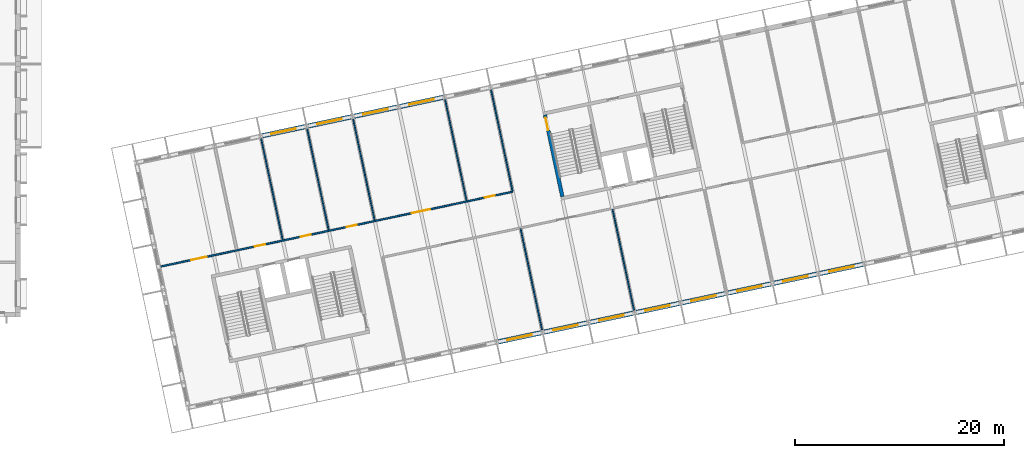
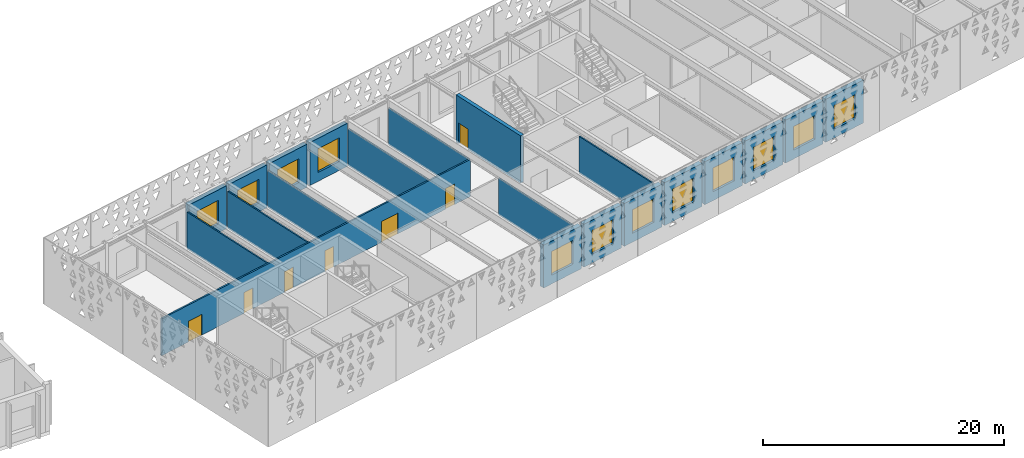
# One storey, part 123 of 182: 21 walls, 12 windows, 7 doors, 19 openings.
"""IFC4 building model written with IfcOpenShell, lengths in metres."""

from ifc_helpers import new_model, si_unit, direction, frame, frame_2d, origin, place, context, subcontext, project, spatial, rectangle, extrude, material, layer, layer_set, type_object, element, fill, save


model = new_model("IFC4")

# Units and contexts
model_context = context("Model", 3, precision=1e-05, world=origin(), true_north=direction((0.0, 1.0)))
body_context = subcontext(model_context, "Body", "Model", "MODEL_VIEW")
ifc_project = project(units=[si_unit("LENGTHUNIT", "METRE"), si_unit("AREAUNIT", "SQUARE_METRE"), si_unit("VOLUMEUNIT", "CUBIC_METRE"), si_unit("PLANEANGLEUNIT", "RADIAN"), si_unit("MASSUNIT", "GRAM", prefix="KILO")], contexts=[model_context])

# Site, building, storey
site_placement = place(None, origin())
site = spatial("IfcSite", under=ifc_project, at=site_placement, CompositionType="ELEMENT")
building_placement = place(site_placement, origin())
building = spatial("IfcBuilding", under=site, at=building_placement, Name="Okhra Congress Centre", CompositionType="ELEMENT")
storey_placement = place(building_placement, frame((0.0, 0.0, 7.199951171875)))
storey = spatial("IfcBuildingStorey", under=building, at=storey_placement, Name="L01", CompositionType="ELEMENT", Elevation=7.199951171875)

# Wall, opening, window
ifc_material_1 = material(Name="Insulated metal panel on steel stud (mineral wool, vapour barrier)", Category="steel")
ifc_layer_1 = layer(ifc_material_1, 0.449951171875)
ifc_layer_set_1 = layer_set([ifc_layer_1], Name="Insulated wall 450")
wall_type_1 = type_object("IfcWallType", Name="Insulated wall 450", PredefinedType="SOLIDWALL", material=ifc_layer_set_1)
wall_1_placement = place(storey_placement, frame((91.969482421875, 33.3896484375, 0.0), z_axis=(0.0, 0.0, 1.0), x_axis=(0.978143927149, 0.207928972925, 0.0)))
wall_1 = element("IfcWall", 1, at=wall_1_placement, inside=storey, type_object=wall_type_1, Name="External wall S8 L01", PredefinedType="SOLIDWALL", context=body_context, shape_type="SweptSolid", body=[
    extrude(rectangle(XDim=4.199951171875, YDim=0.449951171875, at=frame_2d((2.10009765625, 0.0))), origin(), (0.0, 0.0, 1.0), 4.35009765625),
])
opening_1_placement = place(wall_1_placement, frame((0.89990234375, 0.0, 0.89990234375)))
opening_1 = element("IfcOpeningElement", 2, at=opening_1_placement, cuts=wall_1, Name="Opening WN22", PredefinedType="OPENING", context=body_context, shape_type="SweptSolid", body=[
    extrude(rectangle(XDim=2.39990234375, YDim=2.39990234375, at=frame_2d((1.199951171875, 1.199951171875))), frame((0.0, 0.23486328125, 0.0), z_axis=(0.0, -1.0, 0.0), x_axis=(1.0, 0.0, 0.0)), (0.0, 0.0, 1.0), 0.469970703125),
])
ifc_material_2 = material(Name="Thermally broken aluminium frame, triple glazing", Category="aluminium")
window_type = type_object("IfcWindowType", Name="Fixed window 2400x2400", PartitioningType="SINGLE_PANEL", PredefinedType="WINDOW", material=ifc_material_2)
window_1_placement = place(opening_1_placement, origin())
window_1 = element("IfcWindow", 3, at=window_1_placement, inside=storey, type_object=window_type, Name="BX.WIN.L01.8", OverallHeight=2.39990234375, OverallWidth=2.39990234375, PartitioningType="SINGLE_PANEL", PredefinedType="WINDOW", context=body_context, shape_type="SweptSolid", body=[
    extrude(rectangle(XDim=2.39990234375, YDim=2.39990234375, at=frame_2d((1.199951171875, 1.199951171875))), frame((0.0, 0.030029296875, 0.0), z_axis=(0.0, -1.0, 0.0), x_axis=(1.0, 0.0, 0.0)), (0.0, 0.0, 1.0), 0.06005859375),
])
fill(opening_1, window_1)

wall_2_placement = place(storey_placement, frame((96.37109375, 34.3251953125, 0.0), z_axis=(0.0, 0.0, 1.0), x_axis=(0.978143927149, 0.207928972925, 0.0)))
wall_2 = element("IfcWall", 4, at=wall_2_placement, inside=storey, type_object=wall_type_1, Name="External wall S9 L01", PredefinedType="SOLIDWALL", context=body_context, shape_type="SweptSolid", body=[
    extrude(rectangle(XDim=4.199951171875, YDim=0.449951171875, at=frame_2d((2.10009765625, 0.0))), origin(), (0.0, 0.0, 1.0), 4.35009765625),
])
opening_2_placement = place(wall_2_placement, frame((0.89990234375, 0.0, 0.89990234375)))
opening_2 = element("IfcOpeningElement", 5, at=opening_2_placement, cuts=wall_2, Name="Opening WN22", PredefinedType="OPENING", context=body_context, shape_type="SweptSolid", body=[
    extrude(rectangle(XDim=2.39990234375, YDim=2.39990234375, at=frame_2d((1.199951171875, 1.199951171875))), frame((0.0, 0.23486328125, 0.0), z_axis=(0.0, -1.0, 0.0), x_axis=(1.0, 0.0, 0.0)), (0.0, 0.0, 1.0), 0.469970703125),
])
window_2_placement = place(opening_2_placement, origin())
window_2 = element("IfcWindow", 6, at=window_2_placement, inside=storey, type_object=window_type, Name="BX.WIN.L01.9", OverallHeight=2.39990234375, OverallWidth=2.39990234375, PartitioningType="SINGLE_PANEL", PredefinedType="WINDOW", context=body_context, shape_type="SweptSolid", body=[
    extrude(rectangle(XDim=2.39990234375, YDim=2.39990234375, at=frame_2d((1.199951171875, 1.199951171875))), frame((0.0, 0.030029296875, 0.0), z_axis=(0.0, -1.0, 0.0), x_axis=(1.0, 0.0, 0.0)), (0.0, 0.0, 1.0), 0.06005859375),
])
fill(opening_2, window_2)

wall_3_placement = place(storey_placement, frame((100.772705078125, 35.2607421875, 0.0), z_axis=(0.0, 0.0, 1.0), x_axis=(0.978143927149, 0.207928972925, 0.0)))
wall_3 = element("IfcWall", 7, at=wall_3_placement, inside=storey, type_object=wall_type_1, Name="External wall S10 L01", PredefinedType="SOLIDWALL", context=body_context, shape_type="SweptSolid", body=[
    extrude(rectangle(XDim=4.199951171875, YDim=0.449951171875, at=frame_2d((2.10009765625, 0.0))), origin(), (0.0, 0.0, 1.0), 4.35009765625),
])
opening_3_placement = place(wall_3_placement, frame((0.89990234375, 0.0, 0.89990234375)))
opening_3 = element("IfcOpeningElement", 8, at=opening_3_placement, cuts=wall_3, Name="Opening WN22", PredefinedType="OPENING", context=body_context, shape_type="SweptSolid", body=[
    extrude(rectangle(XDim=2.39990234375, YDim=2.39990234375, at=frame_2d((1.199951171875, 1.199951171875))), frame((0.0, 0.23486328125, 0.0), z_axis=(0.0, -1.0, 0.0), x_axis=(1.0, 0.0, 0.0)), (0.0, 0.0, 1.0), 0.469970703125),
])
window_3_placement = place(opening_3_placement, origin())
window_3 = element("IfcWindow", 9, at=window_3_placement, inside=storey, type_object=window_type, Name="BX.WIN.L01.10", OverallHeight=2.39990234375, OverallWidth=2.39990234375, PartitioningType="SINGLE_PANEL", PredefinedType="WINDOW", context=body_context, shape_type="SweptSolid", body=[
    extrude(rectangle(XDim=2.39990234375, YDim=2.39990234375, at=frame_2d((1.199951171875, 1.199951171875))), frame((0.0, 0.030029296875, 0.0), z_axis=(0.0, -1.0, 0.0), x_axis=(1.0, 0.0, 0.0)), (0.0, 0.0, 1.0), 0.06005859375),
])
fill(opening_3, window_3)

wall_4_placement = place(storey_placement, frame((105.17431640625, 36.196533203125, 0.0), z_axis=(0.0, 0.0, 1.0), x_axis=(0.978155748334, 0.207873355681, 0.0)))
wall_4 = element("IfcWall", 10, at=wall_4_placement, inside=storey, type_object=wall_type_1, Name="External wall S11 L01", PredefinedType="SOLIDWALL", context=body_context, shape_type="SweptSolid", body=[
    extrude(rectangle(XDim=4.199951171875, YDim=0.449951171875, at=frame_2d((2.10009765625, 0.0))), origin(), (0.0, 0.0, 1.0), 4.35009765625),
])
opening_4_placement = place(wall_4_placement, frame((0.89990234375, 0.0, 0.89990234375)))
opening_4 = element("IfcOpeningElement", 11, at=opening_4_placement, cuts=wall_4, Name="Opening WN22", PredefinedType="OPENING", context=body_context, shape_type="SweptSolid", body=[
    extrude(rectangle(XDim=2.39990234375, YDim=2.39990234375, at=frame_2d((1.199951171875, 1.199951171875))), frame((0.0, 0.23486328125, 0.0), z_axis=(0.0, -1.0, 0.0), x_axis=(1.0, 0.0, 0.0)), (0.0, 0.0, 1.0), 0.469970703125),
])
window_4_placement = place(opening_4_placement, origin())
window_4 = element("IfcWindow", 12, at=window_4_placement, inside=storey, type_object=window_type, Name="BX.WIN.L01.11", OverallHeight=2.39990234375, OverallWidth=2.39990234375, PartitioningType="SINGLE_PANEL", PredefinedType="WINDOW", context=body_context, shape_type="SweptSolid", body=[
    extrude(rectangle(XDim=2.39990234375, YDim=2.39990234375, at=frame_2d((1.199951171875, 1.199951171875))), frame((0.0, 0.030029296875, 0.0), z_axis=(0.0, -1.0, 0.0), x_axis=(1.0, 0.0, 0.0)), (0.0, 0.0, 1.0), 0.06005859375),
])
fill(opening_4, window_4)

wall_5_placement = place(storey_placement, frame((109.575927734375, 37.132080078125, 0.0), z_axis=(0.0, 0.0, 1.0), x_axis=(0.978146440129, 0.207917150959, 0.0)))
wall_5 = element("IfcWall", 13, at=wall_5_placement, inside=storey, type_object=wall_type_1, Name="External wall S12 L01", PredefinedType="SOLIDWALL", context=body_context, shape_type="SweptSolid", body=[
    extrude(rectangle(XDim=4.2001953125, YDim=0.449951171875, at=frame_2d((2.10009765625, 0.0))), origin(), (0.0, 0.0, 1.0), 4.35009765625),
])
opening_5_placement = place(wall_5_placement, frame((0.89990234375, 0.0, 0.89990234375)))
opening_5 = element("IfcOpeningElement", 14, at=opening_5_placement, cuts=wall_5, Name="Opening WN22", PredefinedType="OPENING", context=body_context, shape_type="SweptSolid", body=[
    extrude(rectangle(XDim=2.39990234375, YDim=2.39990234375, at=frame_2d((1.199951171875, 1.199951171875))), frame((0.0, 0.23486328125, 0.0), z_axis=(0.0, -1.0, 0.0), x_axis=(1.0, 0.0, 0.0)), (0.0, 0.0, 1.0), 0.469970703125),
])
window_5_placement = place(opening_5_placement, origin())
window_5 = element("IfcWindow", 15, at=window_5_placement, inside=storey, type_object=window_type, Name="BX.WIN.L01.12", OverallHeight=2.39990234375, OverallWidth=2.39990234375, PartitioningType="SINGLE_PANEL", PredefinedType="WINDOW", context=body_context, shape_type="SweptSolid", body=[
    extrude(rectangle(XDim=2.39990234375, YDim=2.39990234375, at=frame_2d((1.199951171875, 1.199951171875))), frame((0.0, 0.030029296875, 0.0), z_axis=(0.0, -1.0, 0.0), x_axis=(1.0, 0.0, 0.0)), (0.0, 0.0, 1.0), 0.06005859375),
])
fill(opening_5, window_5)

wall_6_placement = place(storey_placement, frame((113.977783203125, 38.067626953125, 0.0), z_axis=(0.0, 0.0, 1.0), x_axis=(0.978143927149, 0.207928972925, 0.0)))
wall_6 = element("IfcWall", 16, at=wall_6_placement, inside=storey, type_object=wall_type_1, Name="External wall S13 L01", PredefinedType="SOLIDWALL", context=body_context, shape_type="SweptSolid", body=[
    extrude(rectangle(XDim=4.199951171875, YDim=0.449951171875, at=frame_2d((2.10009765625, 0.0))), origin(), (0.0, 0.0, 1.0), 4.35009765625),
])
opening_6_placement = place(wall_6_placement, frame((0.89990234375, 0.0, 0.89990234375)))
opening_6 = element("IfcOpeningElement", 17, at=opening_6_placement, cuts=wall_6, Name="Opening WN22", PredefinedType="OPENING", context=body_context, shape_type="SweptSolid", body=[
    extrude(rectangle(XDim=2.39990234375, YDim=2.39990234375, at=frame_2d((1.199951171875, 1.199951171875))), frame((0.0, 0.23486328125, 0.0), z_axis=(0.0, -1.0, 0.0), x_axis=(1.0, 0.0, 0.0)), (0.0, 0.0, 1.0), 0.469970703125),
])
window_6_placement = place(opening_6_placement, origin())
window_6 = element("IfcWindow", 18, at=window_6_placement, inside=storey, type_object=window_type, Name="BX.WIN.L01.13", OverallHeight=2.39990234375, OverallWidth=2.39990234375, PartitioningType="SINGLE_PANEL", PredefinedType="WINDOW", context=body_context, shape_type="SweptSolid", body=[
    extrude(rectangle(XDim=2.39990234375, YDim=2.39990234375, at=frame_2d((1.199951171875, 1.199951171875))), frame((0.0, 0.030029296875, 0.0), z_axis=(0.0, -1.0, 0.0), x_axis=(1.0, 0.0, 0.0)), (0.0, 0.0, 1.0), 0.06005859375),
])
fill(opening_6, window_6)

wall_7_placement = place(storey_placement, frame((118.37939453125, 39.003173828125, 0.0), z_axis=(0.0, 0.0, 1.0), x_axis=(0.978143927149, 0.207928972925, 0.0)))
wall_7 = element("IfcWall", 19, at=wall_7_placement, inside=storey, type_object=wall_type_1, Name="External wall S14 L01", PredefinedType="SOLIDWALL", context=body_context, shape_type="SweptSolid", body=[
    extrude(rectangle(XDim=4.199951171875, YDim=0.449951171875, at=frame_2d((2.10009765625, 0.0))), origin(), (0.0, 0.0, 1.0), 4.35009765625),
])
opening_7_placement = place(wall_7_placement, frame((0.89990234375, 0.0, 0.89990234375)))
opening_7 = element("IfcOpeningElement", 20, at=opening_7_placement, cuts=wall_7, Name="Opening WN22", PredefinedType="OPENING", context=body_context, shape_type="SweptSolid", body=[
    extrude(rectangle(XDim=2.39990234375, YDim=2.39990234375, at=frame_2d((1.199951171875, 1.199951171875))), frame((0.0, 0.23486328125, 0.0), z_axis=(0.0, -1.0, 0.0), x_axis=(1.0, 0.0, 0.0)), (0.0, 0.0, 1.0), 0.469970703125),
])
window_7_placement = place(opening_7_placement, origin())
window_7 = element("IfcWindow", 21, at=window_7_placement, inside=storey, type_object=window_type, Name="BX.WIN.L01.14", OverallHeight=2.39990234375, OverallWidth=2.39990234375, PartitioningType="SINGLE_PANEL", PredefinedType="WINDOW", context=body_context, shape_type="SweptSolid", body=[
    extrude(rectangle(XDim=2.39990234375, YDim=2.39990234375, at=frame_2d((1.199951171875, 1.199951171875))), frame((0.0, 0.030029296875, 0.0), z_axis=(0.0, -1.0, 0.0), x_axis=(1.0, 0.0, 0.0)), (0.0, 0.0, 1.0), 0.06005859375),
])
fill(opening_7, window_7)

wall_8_placement = place(storey_placement, frame((122.781005859375, 39.93896484375, 0.0), z_axis=(0.0, 0.0, 1.0), x_axis=(0.978155748334, 0.207873355681, 0.0)))
wall_8 = element("IfcWall", 22, at=wall_8_placement, inside=storey, type_object=wall_type_1, Name="External wall S15 L01", PredefinedType="SOLIDWALL", context=body_context, shape_type="SweptSolid", body=[
    extrude(rectangle(XDim=4.199951171875, YDim=0.449951171875, at=frame_2d((2.10009765625, 0.0))), origin(), (0.0, 0.0, 1.0), 4.35009765625),
])
opening_8_placement = place(wall_8_placement, frame((0.89990234375, 0.0, 0.89990234375)))
opening_8 = element("IfcOpeningElement", 23, at=opening_8_placement, cuts=wall_8, Name="Opening WN22", PredefinedType="OPENING", context=body_context, shape_type="SweptSolid", body=[
    extrude(rectangle(XDim=2.39990234375, YDim=2.39990234375, at=frame_2d((1.199951171875, 1.199951171875))), frame((0.0, 0.23486328125, 0.0), z_axis=(0.0, -1.0, 0.0), x_axis=(1.0, 0.0, 0.0)), (0.0, 0.0, 1.0), 0.469970703125),
])
window_8_placement = place(opening_8_placement, origin())
window_8 = element("IfcWindow", 24, at=window_8_placement, inside=storey, type_object=window_type, Name="BX.WIN.L01.15", OverallHeight=2.39990234375, OverallWidth=2.39990234375, PartitioningType="SINGLE_PANEL", PredefinedType="WINDOW", context=body_context, shape_type="SweptSolid", body=[
    extrude(rectangle(XDim=2.39990234375, YDim=2.39990234375, at=frame_2d((1.199951171875, 1.199951171875))), frame((0.0, 0.030029296875, 0.0), z_axis=(0.0, -1.0, 0.0), x_axis=(1.0, 0.0, 0.0)), (0.0, 0.0, 1.0), 0.06005859375),
])
fill(opening_8, window_8)

wall_9_placement = place(storey_placement, frame((69.372802734375, 53.122802734375, 0.0), z_axis=(0.0, 0.0, 1.0), x_axis=(0.978143927149, 0.207928972925, 0.0)))
wall_9 = element("IfcWall", 25, at=wall_9_placement, inside=storey, type_object=wall_type_1, Name="External wall N4 L01", PredefinedType="SOLIDWALL", context=body_context, shape_type="SweptSolid", body=[
    extrude(rectangle(XDim=4.199951171875, YDim=0.449951171875, at=frame_2d((2.10009765625, 0.0))), origin(), (0.0, 0.0, 1.0), 4.35009765625),
])
opening_9_placement = place(wall_9_placement, frame((0.89990234375, 0.0, 0.89990234375)))
opening_9 = element("IfcOpeningElement", 26, at=opening_9_placement, cuts=wall_9, Name="Opening WN22", PredefinedType="OPENING", context=body_context, shape_type="SweptSolid", body=[
    extrude(rectangle(XDim=2.39990234375, YDim=2.39990234375, at=frame_2d((1.199951171875, 1.199951171875))), frame((0.0, 0.23486328125, 0.0), z_axis=(0.0, -1.0, 0.0), x_axis=(1.0, 0.0, 0.0)), (0.0, 0.0, 1.0), 0.469970703125),
])
window_9_placement = place(opening_9_placement, origin())
window_9 = element("IfcWindow", 27, at=window_9_placement, inside=storey, type_object=window_type, Name="BX.WIN.L01.40", OverallHeight=2.39990234375, OverallWidth=2.39990234375, PartitioningType="SINGLE_PANEL", PredefinedType="WINDOW", context=body_context, shape_type="SweptSolid", body=[
    extrude(rectangle(XDim=2.39990234375, YDim=2.39990234375, at=frame_2d((1.199951171875, 1.199951171875))), frame((0.0, 0.030029296875, 0.0), z_axis=(0.0, -1.0, 0.0), x_axis=(1.0, 0.0, 0.0)), (0.0, 0.0, 1.0), 0.06005859375),
])
fill(opening_9, window_9)

wall_10_placement = place(storey_placement, frame((73.7744140625, 54.058349609375, 0.0), z_axis=(0.0, 0.0, 1.0), x_axis=(0.978146440129, 0.207917150959, 0.0)))
wall_10 = element("IfcWall", 28, at=wall_10_placement, inside=storey, type_object=wall_type_1, Name="External wall N5 L01", PredefinedType="SOLIDWALL", context=body_context, shape_type="SweptSolid", body=[
    extrude(rectangle(XDim=4.2001953125, YDim=0.449951171875, at=frame_2d((2.10009765625, 0.0))), origin(), (0.0, 0.0, 1.0), 4.35009765625),
])
opening_10_placement = place(wall_10_placement, frame((0.89990234375, 0.0, 0.89990234375)))
opening_10 = element("IfcOpeningElement", 29, at=opening_10_placement, cuts=wall_10, Name="Opening WN22", PredefinedType="OPENING", context=body_context, shape_type="SweptSolid", body=[
    extrude(rectangle(XDim=2.39990234375, YDim=2.39990234375, at=frame_2d((1.199951171875, 1.199951171875))), frame((0.0, 0.23486328125, 0.0), z_axis=(0.0, -1.0, 0.0), x_axis=(1.0, 0.0, 0.0)), (0.0, 0.0, 1.0), 0.469970703125),
])
window_10_placement = place(opening_10_placement, origin())
window_10 = element("IfcWindow", 30, at=window_10_placement, inside=storey, type_object=window_type, Name="BX.WIN.L01.41", OverallHeight=2.39990234375, OverallWidth=2.39990234375, PartitioningType="SINGLE_PANEL", PredefinedType="WINDOW", context=body_context, shape_type="SweptSolid", body=[
    extrude(rectangle(XDim=2.39990234375, YDim=2.39990234375, at=frame_2d((1.199951171875, 1.199951171875))), frame((0.0, 0.030029296875, 0.0), z_axis=(0.0, -1.0, 0.0), x_axis=(1.0, 0.0, 0.0)), (0.0, 0.0, 1.0), 0.06005859375),
])
fill(opening_10, window_10)

wall_11_placement = place(storey_placement, frame((78.17626953125, 54.993896484375, 0.0), z_axis=(0.0, 0.0, 1.0), x_axis=(0.978143927149, 0.207928972925, 0.0)))
wall_11 = element("IfcWall", 31, at=wall_11_placement, inside=storey, type_object=wall_type_1, Name="External wall N6 L01", PredefinedType="SOLIDWALL", context=body_context, shape_type="SweptSolid", body=[
    extrude(rectangle(XDim=4.199951171875, YDim=0.449951171875, at=frame_2d((2.10009765625, 0.0))), origin(), (0.0, 0.0, 1.0), 4.35009765625),
])
opening_11_placement = place(wall_11_placement, frame((0.89990234375, 0.0, 0.89990234375)))
opening_11 = element("IfcOpeningElement", 32, at=opening_11_placement, cuts=wall_11, Name="Opening WN22", PredefinedType="OPENING", context=body_context, shape_type="SweptSolid", body=[
    extrude(rectangle(XDim=2.39990234375, YDim=2.39990234375, at=frame_2d((1.199951171875, 1.199951171875))), frame((0.0, 0.23486328125, 0.0), z_axis=(0.0, -1.0, 0.0), x_axis=(1.0, 0.0, 0.0)), (0.0, 0.0, 1.0), 0.469970703125),
])
window_11_placement = place(opening_11_placement, origin())
window_11 = element("IfcWindow", 33, at=window_11_placement, inside=storey, type_object=window_type, Name="BX.WIN.L01.42", OverallHeight=2.39990234375, OverallWidth=2.39990234375, PartitioningType="SINGLE_PANEL", PredefinedType="WINDOW", context=body_context, shape_type="SweptSolid", body=[
    extrude(rectangle(XDim=2.39990234375, YDim=2.39990234375, at=frame_2d((1.199951171875, 1.199951171875))), frame((0.0, 0.030029296875, 0.0), z_axis=(0.0, -1.0, 0.0), x_axis=(1.0, 0.0, 0.0)), (0.0, 0.0, 1.0), 0.06005859375),
])
fill(opening_11, window_11)

wall_12_placement = place(storey_placement, frame((82.577880859375, 55.9296875, 0.0), z_axis=(0.0, 0.0, 1.0), x_axis=(0.978155748334, 0.207873355681, 0.0)))
wall_12 = element("IfcWall", 34, at=wall_12_placement, inside=storey, type_object=wall_type_1, Name="External wall N7 L01", PredefinedType="SOLIDWALL", context=body_context, shape_type="SweptSolid", body=[
    extrude(rectangle(XDim=4.199951171875, YDim=0.449951171875, at=frame_2d((2.10009765625, 0.0))), origin(), (0.0, 0.0, 1.0), 4.35009765625),
])
opening_12_placement = place(wall_12_placement, frame((0.89990234375, 0.0, 0.89990234375)))
opening_12 = element("IfcOpeningElement", 35, at=opening_12_placement, cuts=wall_12, Name="Opening WN22", PredefinedType="OPENING", context=body_context, shape_type="SweptSolid", body=[
    extrude(rectangle(XDim=2.39990234375, YDim=2.39990234375, at=frame_2d((1.199951171875, 1.199951171875))), frame((0.0, 0.23486328125, 0.0), z_axis=(0.0, -1.0, 0.0), x_axis=(1.0, 0.0, 0.0)), (0.0, 0.0, 1.0), 0.469970703125),
])
window_12_placement = place(opening_12_placement, origin())
window_12 = element("IfcWindow", 36, at=window_12_placement, inside=storey, type_object=window_type, Name="BX.WIN.L01.43", OverallHeight=2.39990234375, OverallWidth=2.39990234375, PartitioningType="SINGLE_PANEL", PredefinedType="WINDOW", context=body_context, shape_type="SweptSolid", body=[
    extrude(rectangle(XDim=2.39990234375, YDim=2.39990234375, at=frame_2d((1.199951171875, 1.199951171875))), frame((0.0, 0.030029296875, 0.0), z_axis=(0.0, -1.0, 0.0), x_axis=(1.0, 0.0, 0.0)), (0.0, 0.0, 1.0), 0.06005859375),
])
fill(opening_12, window_12)

# Walls
ifc_material_3 = material(Name="Gypsum board on steel studs", Category="steel")
ifc_layer_2 = layer(ifc_material_3, 0.125)
ifc_layer_set_2 = layer_set([ifc_layer_2], Name="Partition 125")
wall_type_2 = type_object("IfcWallType", Name="Partition 125", PredefinedType="PARTITIONING", material=ifc_layer_set_2)
wall_13_placement = place(storey_placement, frame((96.177490234375, 34.51416015625, 0.0), z_axis=(0.0, 0.0, 1.0), x_axis=(-0.20790935802, 0.978148096582, 0.0)))
element("IfcWall", 37, at=wall_13_placement, inside=storey, type_object=wall_type_2, Name="Partition S L01", PredefinedType="PARTITIONING", context=body_context, shape_type="SweptSolid", body=[
    extrude(rectangle(XDim=9.9248046875, YDim=0.125, at=frame_2d((4.96240234375, 0.0))), origin(), (0.0, 0.0, 1.0), 3.75),
])
wall_14_placement = place(storey_placement, frame((104.98095703125, 36.38525390625, 0.0), z_axis=(0.0, 0.0, 1.0), x_axis=(-0.207927890391, 0.978144157268, 0.0)))
element("IfcWall", 38, at=wall_14_placement, inside=storey, type_object=wall_type_2, Name="Partition S L01", PredefinedType="PARTITIONING", context=body_context, shape_type="SweptSolid", body=[
    extrude(rectangle(XDim=9.92529296875, YDim=0.125, at=frame_2d((4.962646484375, 0.0))), origin(), (0.0, 0.0, 1.0), 3.75),
])
for number, where, z_axis, x_axis, name in (
    (39, (69.27294921875, 52.87158203125, 0.0), (0.0, 0.0, 1.0), (0.207904355568, -0.978149159861, 0.0), "Partition N L01"),
    (40, (73.674560546875, 53.80712890625, 0.0), (0.0, 0.0, 1.0), (0.207904355568, -0.978149159861, 0.0), "Partition N L01"),
):
    element("IfcWall", number, at=place(storey_placement, frame(where, z_axis=z_axis, x_axis=x_axis)), inside=storey, type_object=wall_type_2, Name=name, PredefinedType="PARTITIONING", context=body_context, shape_type="SweptSolid", body=[
        extrude(rectangle(XDim=9.925048828125, YDim=0.125, at=frame_2d((4.96240234375, 0.0))), origin(), (0.0, 0.0, 1.0), 3.75),
    ])
wall_15_placement = place(storey_placement, frame((78.076171875, 54.74267578125, 0.0), z_axis=(0.0, 0.0, 1.0), x_axis=(0.20790935802, -0.978148096582, 0.0)))
element("IfcWall", 41, at=wall_15_placement, inside=storey, type_object=wall_type_2, Name="Partition N L01", PredefinedType="PARTITIONING", context=body_context, shape_type="SweptSolid", body=[
    extrude(rectangle(XDim=9.9248046875, YDim=0.125, at=frame_2d((4.96240234375, 0.0))), origin(), (0.0, 0.0, 1.0), 3.75),
])
for number, where, z_axis, x_axis, name in (
    (42, (86.879638671875, 56.614013671875, 0.0), (0.0, 0.0, 1.0), (0.207904355568, -0.978149159861, 0.0), "Partition N L01"),
    (43, (91.28125, 57.549560546875, 0.0), (0.0, 0.0, 1.0), (0.207904355568, -0.978149159861, 0.0), "Partition N L01"),
):
    element("IfcWall", number, at=place(storey_placement, frame(where, z_axis=z_axis, x_axis=x_axis)), inside=storey, type_object=wall_type_2, Name=name, PredefinedType="PARTITIONING", context=body_context, shape_type="SweptSolid", body=[
        extrude(rectangle(XDim=9.925048828125, YDim=0.125, at=frame_2d((4.96240234375, 0.0))), origin(), (0.0, 0.0, 1.0), 3.75),
    ])

# Wall, openings, doors
ifc_layer_3 = layer(ifc_material_3, 0.14990234375)
ifc_layer_set_3 = layer_set([ifc_layer_3], Name="Partition 150 EI 15")
wall_type_3 = type_object("IfcWallType", Name="Partition 150 EI 15", PredefinedType="PARTITIONING", material=ifc_layer_set_3)
wall_16_placement = place(storey_placement, frame((59.6630859375, 40.60546875, 0.0), z_axis=(0.0, 0.0, 1.0), x_axis=(0.978147466509, 0.207912322295, 0.0)))
wall_16 = element("IfcWall", 44, at=wall_16_placement, inside=storey, type_object=wall_type_3, Name="Corridor wall N1 L01", PredefinedType="PARTITIONING", context=body_context, shape_type="SweptSolid", body=[
    extrude(rectangle(XDim=34.4501953125, YDim=0.14990234375, at=frame_2d((17.22509765625, 0.0))), origin(), (0.0, 0.0, 1.0), 3.75),
])
opening_13_placement = place(wall_16_placement, frame((2.97509765625, 0.0, 0.0)))
opening_13 = element("IfcOpeningElement", 45, at=opening_13_placement, cuts=wall_16, Name="Opening L01-135", PredefinedType="OPENING", context=body_context, shape_type="SweptSolid", body=[
    extrude(rectangle(XDim=1.5, YDim=2.10009765625, at=frame_2d((0.75, 1.050048828125))), frame((0.0, 0.0849609375, 0.0), z_axis=(0.0, -1.0, 0.0), x_axis=(1.0, 0.0, 0.0)), (0.0, 0.0, 1.0), 0.169921875),
])
opening_14_placement = place(wall_16_placement, frame((9.199951171875, 0.0, 0.0)))
opening_14 = element("IfcOpeningElement", 46, at=opening_14_placement, cuts=wall_16, Name="Opening L01-136", PredefinedType="OPENING", context=body_context, shape_type="SweptSolid", body=[
    extrude(rectangle(XDim=1.0, YDim=2.10009765625, at=frame_2d((0.5, 1.050048828125))), frame((0.0, 0.0849609375, 0.0), z_axis=(0.0, -1.0, 0.0), x_axis=(1.0, 0.0, 0.0)), (0.0, 0.0, 1.0), 0.169921875),
])
opening_15_placement = place(wall_16_placement, frame((13.699951171875, 0.0, 0.0)))
opening_15 = element("IfcOpeningElement", 47, at=opening_15_placement, cuts=wall_16, Name="Opening L01-137", PredefinedType="OPENING", context=body_context, shape_type="SweptSolid", body=[
    extrude(rectangle(XDim=1.0, YDim=2.10009765625, at=frame_2d((0.5, 1.050048828125))), frame((0.0, 0.0849609375, 0.0), z_axis=(0.0, -1.0, 0.0), x_axis=(1.0, 0.0, 0.0)), (0.0, 0.0, 1.0), 0.169921875),
])
opening_16_placement = place(wall_16_placement, frame((18.199951171875, 0.0, 0.0)))
opening_16 = element("IfcOpeningElement", 48, at=opening_16_placement, cuts=wall_16, Name="Opening L01-138", PredefinedType="OPENING", context=body_context, shape_type="SweptSolid", body=[
    extrude(rectangle(XDim=1.0, YDim=2.10009765625, at=frame_2d((0.5, 1.050048828125))), frame((0.0, 0.0849609375, 0.0), z_axis=(0.0, -1.0, 0.0), x_axis=(1.0, 0.0, 0.0)), (0.0, 0.0, 1.0), 0.169921875),
])
opening_17_placement = place(wall_16_placement, frame((24.550048828125, 0.0, 0.0)))
opening_17 = element("IfcOpeningElement", 49, at=opening_17_placement, cuts=wall_16, Name="Opening L01-139", PredefinedType="OPENING", context=body_context, shape_type="SweptSolid", body=[
    extrude(rectangle(XDim=1.800048828125, YDim=2.10009765625, at=frame_2d((0.89990234375, 1.050048828125))), frame((0.0, 0.0849609375, 0.0), z_axis=(0.0, -1.0, 0.0), x_axis=(1.0, 0.0, 0.0)), (0.0, 0.0, 1.0), 0.169921875),
])
opening_18_placement = place(wall_16_placement, frame((31.699951171875, 0.0, 0.0)))
opening_18 = element("IfcOpeningElement", 50, at=opening_18_placement, cuts=wall_16, Name="Opening L01-140", PredefinedType="OPENING", context=body_context, shape_type="SweptSolid", body=[
    extrude(rectangle(XDim=1.0, YDim=2.10009765625, at=frame_2d((0.5, 1.050048828125))), frame((0.0, 0.0849609375, 0.0), z_axis=(0.0, -1.0, 0.0), x_axis=(1.0, 0.0, 0.0)), (0.0, 0.0, 1.0), 0.169921875),
])
ifc_material_4 = material(Name="Timber door leaves in steel frame", Category="steel")
door_type_1 = type_object("IfcDoorType", Name="Double swing door 1500x2100", OperationType="NOTDEFINED", PredefinedType="DOOR", material=ifc_material_4)
door_1_placement = place(opening_13_placement, origin())
door_1 = element("IfcDoor", 51, at=door_1_placement, inside=storey, type_object=door_type_1, Name="Door L01-135", OperationType="DOUBLE_DOOR_SINGLE_SWING", OverallHeight=2.10009765625, OverallWidth=1.5, PredefinedType="DOOR", context=body_context, shape_type="SweptSolid", body=[
    extrude(rectangle(XDim=1.5, YDim=2.10009765625, at=frame_2d((0.75, 1.050048828125))), frame((0.0, 0.02490234375, 0.0), z_axis=(0.0, -1.0, 0.0), x_axis=(1.0, 0.0, 0.0)), (0.0, 0.0, 1.0), 0.050048828125),
])
fill(opening_13, door_1)
door_type_2 = type_object("IfcDoorType", Name="Double swing door 1800x2100", OperationType="NOTDEFINED", PredefinedType="DOOR", material=ifc_material_4)
door_2_placement = place(opening_17_placement, frame((1.800048828125, 0.0, 0.0), z_axis=(0.0, 0.0, 1.0), x_axis=(-1.0, 0.0, 0.0)))
door_2 = element("IfcDoor", 52, at=door_2_placement, inside=storey, type_object=door_type_2, Name="Door L01-139", OperationType="DOUBLE_DOOR_SINGLE_SWING", OverallHeight=2.10009765625, OverallWidth=1.800048828125, PredefinedType="DOOR", context=body_context, shape_type="SweptSolid", body=[
    extrude(rectangle(XDim=1.800048828125, YDim=2.10009765625, at=frame_2d((0.89990234375, 1.050048828125))), frame((0.0, 0.02490234375, 0.0), z_axis=(0.0, -1.0, 0.0), x_axis=(1.0, 0.0, 0.0)), (0.0, 0.0, 1.0), 0.050048828125),
])
fill(opening_17, door_2)
ifc_material_5 = material(Name="Timber door leaf in steel frame", Category="steel")
door_type_3 = type_object("IfcDoorType", Name="Single swing door 1000x2100", OperationType="NOTDEFINED", PredefinedType="DOOR", material=ifc_material_5)
door_3_placement = place(opening_14_placement, origin())
door_3 = element("IfcDoor", 53, at=door_3_placement, inside=storey, type_object=door_type_3, Name="Door L01-136", OperationType="SINGLE_SWING_LEFT", OverallHeight=2.10009765625, OverallWidth=1.0, PredefinedType="DOOR", context=body_context, shape_type="SweptSolid", body=[
    extrude(rectangle(XDim=1.0, YDim=2.10009765625, at=frame_2d((0.5, 1.050048828125))), frame((0.0, 0.02490234375, 0.0), z_axis=(0.0, -1.0, 0.0), x_axis=(1.0, 0.0, 0.0)), (0.0, 0.0, 1.0), 0.050048828125),
])
fill(opening_14, door_3)
door_4_placement = place(opening_15_placement, origin())
door_4 = element("IfcDoor", 54, at=door_4_placement, inside=storey, type_object=door_type_3, Name="Door L01-137", OperationType="SINGLE_SWING_RIGHT", OverallHeight=2.10009765625, OverallWidth=1.0, PredefinedType="DOOR", context=body_context, shape_type="SweptSolid", body=[
    extrude(rectangle(XDim=1.0, YDim=2.10009765625, at=frame_2d((0.5, 1.050048828125))), frame((0.0, 0.02490234375, 0.0), z_axis=(0.0, -1.0, 0.0), x_axis=(1.0, 0.0, 0.0)), (0.0, 0.0, 1.0), 0.050048828125),
])
fill(opening_15, door_4)
door_5_placement = place(opening_16_placement, origin())
door_5 = element("IfcDoor", 55, at=door_5_placement, inside=storey, type_object=door_type_3, Name="Door L01-138", OperationType="SINGLE_SWING_LEFT", OverallHeight=2.10009765625, OverallWidth=1.0, PredefinedType="DOOR", context=body_context, shape_type="SweptSolid", body=[
    extrude(rectangle(XDim=1.0, YDim=2.10009765625, at=frame_2d((0.5, 1.050048828125))), frame((0.0, 0.02490234375, 0.0), z_axis=(0.0, -1.0, 0.0), x_axis=(1.0, 0.0, 0.0)), (0.0, 0.0, 1.0), 0.050048828125),
])
fill(opening_16, door_5)
door_6_placement = place(opening_18_placement, origin())
door_6 = element("IfcDoor", 56, at=door_6_placement, inside=storey, type_object=door_type_3, Name="Door L01-140", OperationType="SINGLE_SWING_LEFT", OverallHeight=2.10009765625, OverallWidth=1.0, PredefinedType="DOOR", context=body_context, shape_type="SweptSolid", body=[
    extrude(rectangle(XDim=1.0, YDim=2.10009765625, at=frame_2d((0.5, 1.050048828125))), frame((0.0, 0.02490234375, 0.0), z_axis=(0.0, -1.0, 0.0), x_axis=(1.0, 0.0, 0.0)), (0.0, 0.0, 1.0), 0.050048828125),
])
fill(opening_18, door_6)

# Wall, opening, door
ifc_material_6 = material(Name="Concrete C30/37", Category="concrete")
ifc_layer_4 = layer(ifc_material_6, 0.35009765625)
ifc_layer_set_4 = layer_set([ifc_layer_4], Name="RC wall 350 REI 120 C30/37")
wall_type_4 = type_object("IfcWallType", Name="RC wall 350 REI 120 C30/37", PredefinedType="SOLIDWALL", material=ifc_layer_set_4)
wall_17_placement = place(storey_placement, frame((96.448974609375, 55.120849609375, 0.0), z_axis=(0.0, 0.0, 1.0), x_axis=(0.207915693476, -0.978146749934, 0.0)))
wall_17 = element("IfcWall", 57, at=wall_17_placement, inside=storey, type_object=wall_type_4, Name="BX.WALL.L01.K2W", PredefinedType="SOLIDWALL", context=body_context, shape_type="SweptSolid", body=[
    extrude(rectangle(XDim=8.0, YDim=0.35009765625, at=frame_2d((4.0, 0.0))), origin(), (0.0, 0.0, 1.0), 4.800048828125),
])
opening_19_placement = place(wall_17_placement, frame((0.300048828125, 0.0, 0.0)))
opening_19 = element("IfcOpeningElement", 58, at=opening_19_placement, cuts=wall_17, Name="Opening L01-104", PredefinedType="OPENING", context=body_context, shape_type="SweptSolid", body=[
    extrude(rectangle(XDim=1.199951171875, YDim=2.10009765625, at=frame_2d((0.60009765625, 1.050048828125))), frame((0.0, 0.18505859375, 0.0), z_axis=(0.0, -1.0, 0.0), x_axis=(1.0, 0.0, 0.0)), (0.0, 0.0, 1.0), 0.3701171875),
])
ifc_material_7 = material(Name="Steel fire door leaf in steel frame, intumescent seals", Category="steel")
door_type_4 = type_object("IfcDoorType", Name="Steel fire door 1200x2100 EI 30", OperationType="NOTDEFINED", PredefinedType="DOOR", material=ifc_material_7)
door_7_placement = place(opening_19_placement, frame((1.199951171875, 0.0, 0.0), z_axis=(0.0, 0.0, 1.0), x_axis=(-1.0, 0.0, 0.0)))
door_7 = element("IfcDoor", 59, at=door_7_placement, inside=storey, type_object=door_type_4, Name="Door L01-104", OperationType="SINGLE_SWING_RIGHT", OverallHeight=2.10009765625, OverallWidth=1.199951171875, PredefinedType="DOOR", context=body_context, shape_type="SweptSolid", body=[
    extrude(rectangle(XDim=1.199951171875, YDim=2.10009765625, at=frame_2d((0.60009765625, 1.050048828125))), frame((0.0, 0.02490234375, 0.0), z_axis=(0.0, -1.0, 0.0), x_axis=(1.0, 0.0, 0.0)), (0.0, 0.0, 1.0), 0.050048828125),
])
fill(opening_19, door_7)

save(model, "model.ifc")
